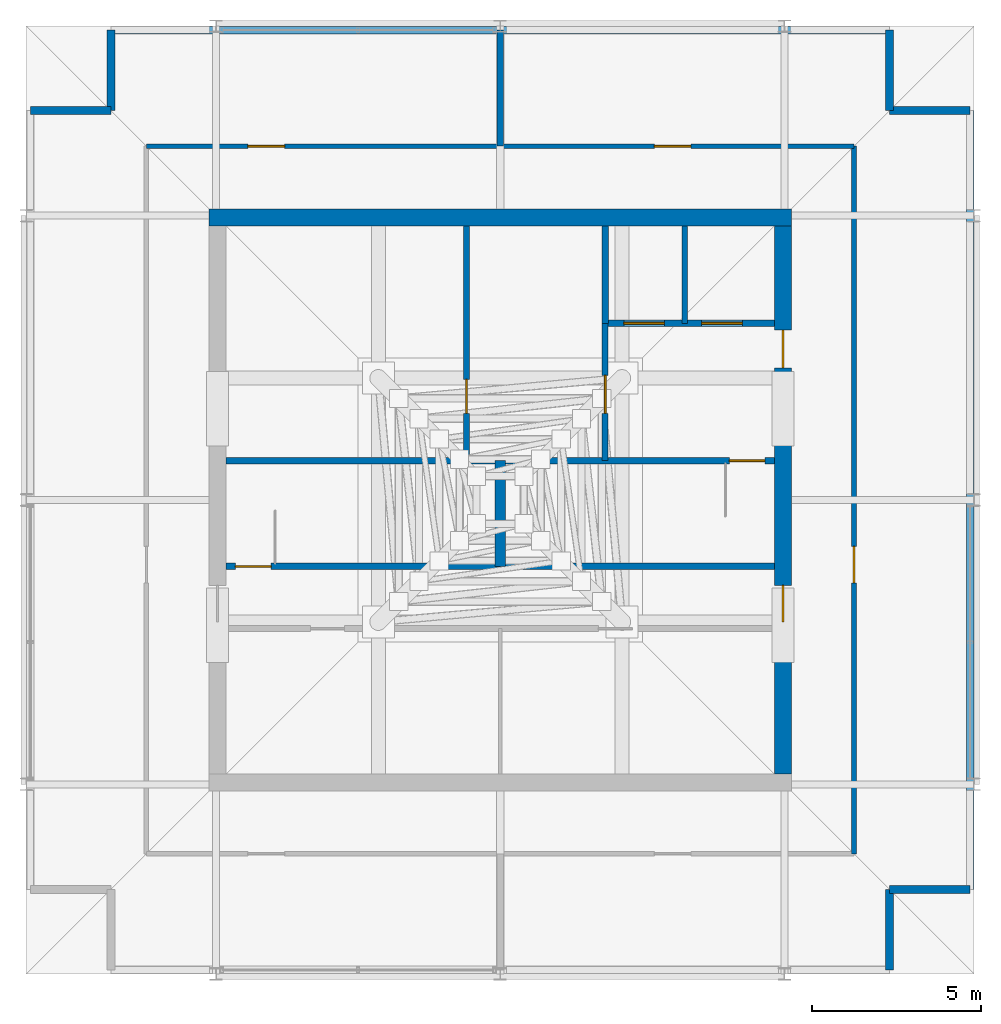
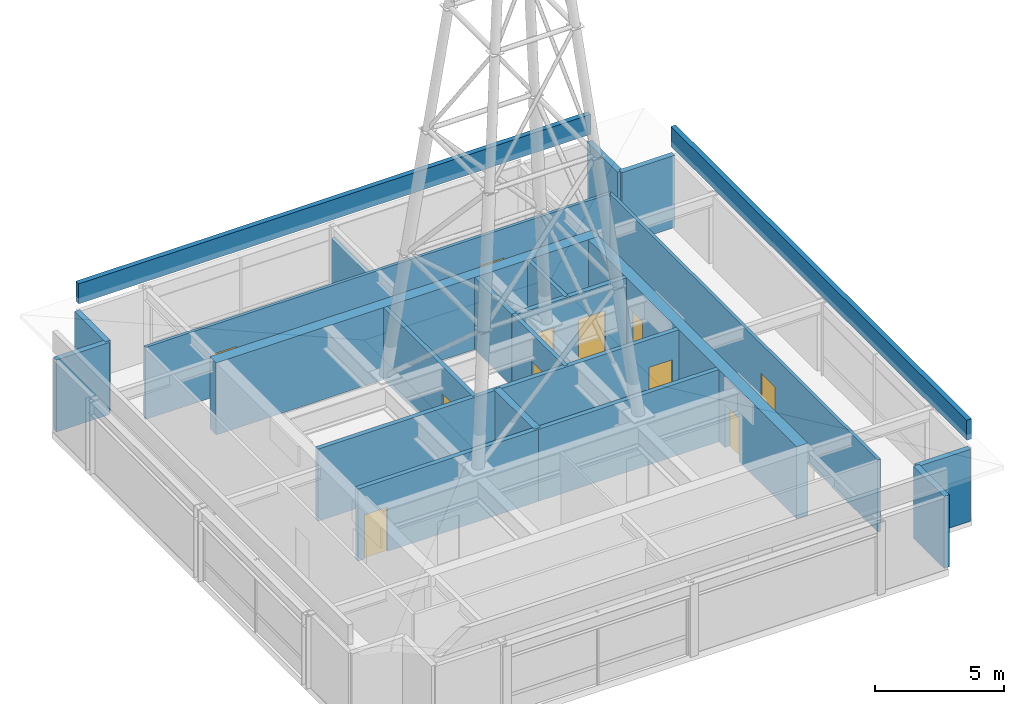
# One storey, part 12 of 13: 23 walls, 11 doors, 11 openings.
"""IFC4 building model written with IfcOpenShell, lengths in metres."""

from ifc_helpers import new_model, si_unit, direction, frame, frame_2d, origin, place, context, subcontext, project, spatial, rectangle, extrude, material, layer, layer_set, type_object, element, fill, save


model = new_model("IFC4")

# Units and contexts
model_context = context("Model", 3, precision=1e-05, world=origin(), true_north=direction((0.0, 1.0)))
body_context = subcontext(model_context, "Body", "Model", "MODEL_VIEW")
ifc_project = project(units=[si_unit("LENGTHUNIT", "METRE"), si_unit("AREAUNIT", "SQUARE_METRE"), si_unit("VOLUMEUNIT", "CUBIC_METRE"), si_unit("PLANEANGLEUNIT", "RADIAN"), si_unit("MASSUNIT", "GRAM", prefix="KILO")], contexts=[model_context])

# Site, building, storey
site_placement = place(None, origin())
site = spatial("IfcSite", under=ifc_project, at=site_placement, CompositionType="ELEMENT")
building_placement = place(site_placement, origin())
building = spatial("IfcBuilding", under=site, at=building_placement, Name="Drelvath Grand Hotel", CompositionType="ELEMENT")
storey_placement = place(building_placement, frame((0.0, 0.0, 323.199951171875)))
storey = spatial("IfcBuildingStorey", under=building, at=storey_placement, Name="L84", CompositionType="ELEMENT", Elevation=323.199951171875)

# Wall, openings, doors
ifc_material_1 = material(Name="Concrete C40/50", Category="concrete")
ifc_layer_1 = layer(ifc_material_1, 0.199951171875)
ifc_layer_set_1 = layer_set([ifc_layer_1], Name="Concrete C40/50")
wall_type_1 = type_object("IfcWallType", Name="Core Hoistway Fire Wall 200", PredefinedType="SOLIDWALL", material=ifc_layer_set_1)
wall_1_placement = place(storey_placement, frame((3.10009765625, 32.219970703125, 0.0), z_axis=(0.0, 0.0, 1.0), x_axis=(1.0, 0.0, 0.0)))
wall_1 = element("IfcWall", 1, at=wall_1_placement, inside=storey, type_object=wall_type_1, Name="L84 FSAE Hoistway Front Wall", PredefinedType="SOLIDWALL", context=body_context, shape_type="SweptSolid", body=[
    extrude(rectangle(XDim=5.0, YDim=0.199951171875, at=frame_2d((2.5, 0.0))), origin(), (0.0, 0.0, 1.0), 3.420166015625),
])
opening_1_placement = place(wall_1_placement, frame((0.550048828125, 0.0, 0.0)))
opening_1 = element("IfcOpeningElement", 2, at=opening_1_placement, cuts=wall_1, Name="Opening LD-FSAE-1", PredefinedType="OPENING", context=body_context, shape_type="SweptSolid", body=[
    extrude(rectangle(XDim=1.199951171875, YDim=2.199951171875, at=frame_2d((0.60009765625, 1.10009765625))), frame((0.0, 0.10986328125, 0.0), z_axis=(0.0, -1.0, 0.0), x_axis=(1.0, 0.0, 0.0)), (0.0, 0.0, 1.0), 0.219970703125),
])
opening_2_placement = place(wall_1_placement, frame((2.85009765625, 0.0, 0.0)))
opening_2 = element("IfcOpeningElement", 3, at=opening_2_placement, cuts=wall_1, Name="Opening LD-FSAE-2", PredefinedType="OPENING", context=body_context, shape_type="SweptSolid", body=[
    extrude(rectangle(XDim=1.199951171875, YDim=2.199951171875, at=frame_2d((0.60009765625, 1.10009765625))), frame((0.0, 0.10986328125, 0.0), z_axis=(0.0, -1.0, 0.0), x_axis=(1.0, 0.0, 0.0)), (0.0, 0.0, 1.0), 0.219970703125),
])
ifc_material_2 = material(Name="Stainless Steel S355", Category="steel")
door_type_1 = type_object("IfcDoorType", Name="FSAE Lift Sliding Landing Door 1200x2200", OperationType="NOTDEFINED", PredefinedType="DOOR", material=ifc_material_2)
door_1_placement = place(opening_1_placement, origin())
door_1 = element("IfcDoor", 4, at=door_1_placement, inside=storey, type_object=door_type_1, Name="L84 Lift FSAE-1 Landing Door", OperationType="SLIDING_TO_LEFT", OverallHeight=2.199951171875, OverallWidth=1.199951171875, PredefinedType="DOOR", context=body_context, shape_type="SweptSolid", body=[
    extrude(rectangle(XDim=1.199951171875, YDim=2.199951171875, at=frame_2d((0.60009765625, 1.10009765625))), frame((0.0, 0.02490234375, 0.0), z_axis=(0.0, -1.0, 0.0), x_axis=(1.0, 0.0, 0.0)), (0.0, 0.0, 1.0), 0.050048828125),
])
fill(opening_1, door_1)
door_2_placement = place(opening_2_placement, origin())
door_2 = element("IfcDoor", 5, at=door_2_placement, inside=storey, type_object=door_type_1, Name="L84 Lift FSAE-2 Landing Door", OperationType="SLIDING_TO_LEFT", OverallHeight=2.199951171875, OverallWidth=1.199951171875, PredefinedType="DOOR", context=body_context, shape_type="SweptSolid", body=[
    extrude(rectangle(XDim=1.199951171875, YDim=2.199951171875, at=frame_2d((0.60009765625, 1.10009765625))), frame((0.0, 0.02490234375, 0.0), z_axis=(0.0, -1.0, 0.0), x_axis=(1.0, 0.0, 0.0)), (0.0, 0.0, 1.0), 0.050048828125),
])
fill(opening_2, door_2)

# Wall
wall_2_placement = place(storey_placement, frame((3.10009765625, 32.219970703125, 0.0), z_axis=(0.0, 0.0, 1.0), x_axis=(0.0, 1.0, 0.0)))
element("IfcWall", 6, at=wall_2_placement, inside=storey, type_object=wall_type_1, Name="L84 FSAE Hoistway West Wall", PredefinedType="SOLIDWALL", context=body_context, shape_type="SweptSolid", body=[
    extrude(rectangle(XDim=2.880126953125, YDim=0.199951171875, at=frame_2d((1.43994140625, 0.0))), origin(), (0.0, 0.0, 1.0), 3.420166015625),
])

# Wall, opening, door
ifc_layer_2 = layer(ifc_material_1, 0.199951171875)
ifc_layer_set_2 = layer_set([ifc_layer_2], Name="Concrete C40/50")
wall_type_2 = type_object("IfcWallType", Name="Core Shaft Fire Wall 200", PredefinedType="SOLIDWALL", material=ifc_layer_set_2)
wall_3_placement = place(storey_placement, frame((-8.10009765625, 25.0400390625, 0.0), z_axis=(0.0, 0.0, 1.0), x_axis=(1.0, 0.0, 0.0)))
wall_3 = element("IfcWall", 7, at=wall_3_placement, inside=storey, type_object=wall_type_2, Name="L84 Stair ST-1 South Wall", PredefinedType="SOLIDWALL", context=body_context, shape_type="SweptSolid", body=[
    extrude(rectangle(XDim=8.10009765625, YDim=0.199951171875, at=frame_2d((4.050048828125, 0.0))), origin(), (0.0, 0.0, 1.0), 3.420166015625),
])
opening_3_placement = place(wall_3_placement, frame((0.280029296875, 0.0, 0.0)))
opening_3 = element("IfcOpeningElement", 8, at=opening_3_placement, cuts=wall_3, Name="Opening D-L84-001", PredefinedType="OPENING", context=body_context, shape_type="SweptSolid", body=[
    extrude(rectangle(XDim=1.050048828125, YDim=2.10009765625, at=frame_2d((0.52490234375, 1.050048828125))), frame((0.0, 0.10986328125, 0.0), z_axis=(0.0, -1.0, 0.0), x_axis=(1.0, 0.0, 0.0)), (0.0, 0.0, 1.0), 0.219970703125),
])
ifc_material_3 = material(Name="Painted Steel S275", Category="steel")
door_type_2 = type_object("IfcDoorType", Name="Tower Stairwell Fire Door 1050x2100", OperationType="NOTDEFINED", PredefinedType="DOOR", material=ifc_material_3)
door_3_placement = place(opening_3_placement, origin())
door_3 = element("IfcDoor", 9, at=door_3_placement, inside=storey, type_object=door_type_2, Name="L84 Exit Stair ST-1 Door", OperationType="SINGLE_SWING_LEFT", OverallHeight=2.10009765625, OverallWidth=1.050048828125, PredefinedType="DOOR", context=body_context, shape_type="SweptSolid", body=[
    extrude(rectangle(XDim=1.050048828125, YDim=2.10009765625, at=frame_2d((0.52490234375, 1.050048828125))), frame((0.0, 0.02490234375, 0.0), z_axis=(0.0, -1.0, 0.0), x_axis=(1.0, 0.0, 0.0)), (0.0, 0.0, 1.0), 0.050048828125),
])
fill(opening_3, door_3)

# Walls
for number, where, z_axis, x_axis, name in (
    (10, (-8.10009765625, 28.159912109375, 0.0), (0.0, 0.0, 1.0), (1.0, 0.0, 0.0), "L84 Stair ST-1 North Wall"),
    (11, (0.0, 25.0400390625, 0.0), (0.0, 0.0, 1.0), (1.0, 0.0, 0.0), "L84 Stair ST-2 South Wall"),
):
    element("IfcWall", number, at=place(storey_placement, frame(where, z_axis=z_axis, x_axis=x_axis)), inside=storey, type_object=wall_type_2, Name=name, PredefinedType="SOLIDWALL", context=body_context, shape_type="SweptSolid", body=[
        extrude(rectangle(XDim=8.10009765625, YDim=0.199951171875, at=frame_2d((4.050048828125, 0.0))), origin(), (0.0, 0.0, 1.0), 3.420166015625),
    ])

# Wall, opening, door
wall_4_placement = place(storey_placement, frame((8.10009765625, 28.159912109375, 0.0), z_axis=(0.0, 0.0, 1.0), x_axis=(-1.0, 0.0, 0.0)))
wall_4 = element("IfcWall", 12, at=wall_4_placement, inside=storey, type_object=wall_type_2, Name="L84 Stair ST-2 North Wall", PredefinedType="SOLIDWALL", context=body_context, shape_type="SweptSolid", body=[
    extrude(rectangle(XDim=8.10009765625, YDim=0.199951171875, at=frame_2d((4.050048828125, 0.0))), origin(), (0.0, 0.0, 1.0), 3.420166015625),
])
opening_4_placement = place(wall_4_placement, frame((0.280029296875, 0.0, 0.0)))
opening_4 = element("IfcOpeningElement", 13, at=opening_4_placement, cuts=wall_4, Name="Opening D-L84-002", PredefinedType="OPENING", context=body_context, shape_type="SweptSolid", body=[
    extrude(rectangle(XDim=1.050048828125, YDim=2.10009765625, at=frame_2d((0.52490234375, 1.050048828125))), frame((0.0, 0.10986328125, 0.0), z_axis=(0.0, -1.0, 0.0), x_axis=(1.0, 0.0, 0.0)), (0.0, 0.0, 1.0), 0.219970703125),
])
door_4_placement = place(opening_4_placement, origin())
door_4 = element("IfcDoor", 14, at=door_4_placement, inside=storey, type_object=door_type_2, Name="L84 Exit Stair ST-2 Door", OperationType="SINGLE_SWING_LEFT", OverallHeight=2.10009765625, OverallWidth=1.050048828125, PredefinedType="DOOR", context=body_context, shape_type="SweptSolid", body=[
    extrude(rectangle(XDim=1.050048828125, YDim=2.10009765625, at=frame_2d((0.52490234375, 1.050048828125))), frame((0.0, 0.02490234375, 0.0), z_axis=(0.0, -1.0, 0.0), x_axis=(1.0, 0.0, 0.0)), (0.0, 0.0, 1.0), 0.050048828125),
])
fill(opening_4, door_4)

# Walls
ifc_layer_3 = layer(ifc_material_1, 0.300048828125)
ifc_layer_set_3 = layer_set([ifc_layer_3], Name="Concrete C40/50")
wall_type_3 = type_object("IfcWallType", Name="Core Shaft Fire Wall 300", PredefinedType="SOLIDWALL", material=ifc_layer_set_3)
wall_5_placement = place(storey_placement, frame((0.0, 25.0400390625, 0.0), z_axis=(0.0, 0.0, 1.0), x_axis=(0.0, 1.0, 0.0)))
element("IfcWall", 15, at=wall_5_placement, inside=storey, type_object=wall_type_3, Name="L84 Core Stair Divider Wall", PredefinedType="SOLIDWALL", context=body_context, shape_type="SweptSolid", body=[
    extrude(rectangle(XDim=3.119873046875, YDim=0.300048828125, at=frame_2d((1.56005859375, 0.0))), origin(), (0.0, 0.0, 1.0), 3.420166015625),
])
ifc_material_4 = material(Name="Gypsum Fireboard Partition")
ifc_layer_4 = layer(ifc_material_4, 0.1650390625)
ifc_layer_set_4 = layer_set([ifc_layer_4], Name="Gypsum Fireboard Partition")
wall_type_4 = type_object("IfcWallType", Name="Core Shaft Partition 165", PredefinedType="PARTITIONING", material=ifc_layer_set_4)
wall_6_placement = place(storey_placement, frame((5.449951171875, 32.219970703125, 0.0), z_axis=(0.0, 0.0, 1.0), x_axis=(0.0, 1.0, 0.0)))
element("IfcWall", 16, at=wall_6_placement, inside=storey, type_object=wall_type_4, Name="L84 FSAE Hoistway Divider", PredefinedType="PARTITIONING", context=body_context, shape_type="SweptSolid", body=[
    extrude(rectangle(XDim=2.880126953125, YDim=0.1650390625, at=frame_2d((1.43994140625, 0.0))), origin(), (0.0, 0.0, 1.0), 3.420166015625),
])

# Wall, openings, doors
ifc_layer_5 = layer(ifc_material_4, 0.135009765625)
ifc_layer_set_5 = layer_set([ifc_layer_5], Name="Gypsum Fireboard Partition")
wall_type_5 = type_object("IfcWallType", Name="Corridor Fire Barrier Wall 135", PredefinedType="PARTITIONING", material=ifc_layer_set_5)
wall_7_placement = place(storey_placement, frame((-10.449951171875, 37.449951171875, 0.0), z_axis=(0.0, 0.0, 1.0), x_axis=(1.0, 0.0, 0.0)))
wall_7 = element("IfcWall", 17, at=wall_7_placement, inside=storey, type_object=wall_type_5, Name="L84 Crown North Corridor Wall", PredefinedType="PARTITIONING", context=body_context, shape_type="SweptSolid", body=[
    extrude(rectangle(XDim=20.89990234375, YDim=0.135009765625, at=frame_2d((10.449951171875, 0.0))), origin(), (0.0, 0.0, 1.0), 3.420166015625),
])
opening_5_placement = place(wall_7_placement, frame((3.0, 0.0, 0.0)))
opening_5 = element("IfcOpeningElement", 18, at=opening_5_placement, cuts=wall_7, Name="Opening D-L84-014", PredefinedType="OPENING", context=body_context, shape_type="SweptSolid", body=[
    extrude(rectangle(XDim=1.080078125, YDim=2.0400390625, at=frame_2d((0.5400390625, 1.02001953125))), frame((0.0, 0.077392578125, 0.0), z_axis=(0.0, -1.0, 0.0), x_axis=(1.0, 0.0, 0.0)), (0.0, 0.0, 1.0), 0.155029296875),
])
opening_6_placement = place(wall_7_placement, frame((15.0, 0.0, 0.0)))
opening_6 = element("IfcOpeningElement", 19, at=opening_6_placement, cuts=wall_7, Name="Opening D-L84-015", PredefinedType="OPENING", context=body_context, shape_type="SweptSolid", body=[
    extrude(rectangle(XDim=1.080078125, YDim=2.0400390625, at=frame_2d((0.5400390625, 1.02001953125))), frame((0.0, 0.077392578125, 0.0), z_axis=(0.0, -1.0, 0.0), x_axis=(1.0, 0.0, 0.0)), (0.0, 0.0, 1.0), 0.155029296875),
])
door_type_3 = type_object("IfcDoorType", Name="Core Corridor Fire Door 1080x2100", OperationType="NOTDEFINED", PredefinedType="DOOR", material=ifc_material_3)
door_5_placement = place(opening_5_placement, origin())
door_5 = element("IfcDoor", 20, at=door_5_placement, inside=storey, type_object=door_type_3, Name="L84 Transmitter Plant Door", OperationType="SINGLE_SWING_RIGHT", OverallHeight=2.0400390625, OverallWidth=1.080078125, PredefinedType="DOOR", context=body_context, shape_type="SweptSolid", body=[
    extrude(rectangle(XDim=1.080078125, YDim=2.0400390625, at=frame_2d((0.5400390625, 1.02001953125))), frame((0.0, 0.02490234375, 0.0), z_axis=(0.0, -1.0, 0.0), x_axis=(1.0, 0.0, 0.0)), (0.0, 0.0, 1.0), 0.050048828125),
])
fill(opening_5, door_5)
door_6_placement = place(opening_6_placement, origin())
door_6 = element("IfcDoor", 21, at=door_6_placement, inside=storey, type_object=door_type_3, Name="L84 TMD Plant Door", OperationType="SINGLE_SWING_LEFT", OverallHeight=2.0400390625, OverallWidth=1.080078125, PredefinedType="DOOR", context=body_context, shape_type="SweptSolid", body=[
    extrude(rectangle(XDim=1.080078125, YDim=2.0400390625, at=frame_2d((0.5400390625, 1.02001953125))), frame((0.0, 0.02490234375, 0.0), z_axis=(0.0, -1.0, 0.0), x_axis=(1.0, 0.0, 0.0)), (0.0, 0.0, 1.0), 0.050048828125),
])
fill(opening_6, door_6)

# Wall, opening, door
wall_8_placement = place(storey_placement, frame((10.449951171875, 16.550048828125, 0.0), z_axis=(0.0, 0.0, 1.0), x_axis=(0.0, 1.0, 0.0)))
wall_8 = element("IfcWall", 22, at=wall_8_placement, inside=storey, type_object=wall_type_5, Name="L84 Crown East Corridor Wall", PredefinedType="PARTITIONING", context=body_context, shape_type="SweptSolid", body=[
    extrude(rectangle(XDim=20.89990234375, YDim=0.135009765625, at=frame_2d((10.449951171875, 0.0))), origin(), (0.0, 0.0, 1.0), 3.420166015625),
])
opening_7_placement = place(wall_8_placement, frame((8.0, 0.0, 0.0)))
opening_7 = element("IfcOpeningElement", 23, at=opening_7_placement, cuts=wall_8, Name="Opening D-L84-017", PredefinedType="OPENING", context=body_context, shape_type="SweptSolid", body=[
    extrude(rectangle(XDim=1.080078125, YDim=2.0400390625, at=frame_2d((0.5400390625, 1.02001953125))), frame((0.0, 0.077392578125, 0.0), z_axis=(0.0, -1.0, 0.0), x_axis=(1.0, 0.0, 0.0)), (0.0, 0.0, 1.0), 0.155029296875),
])
door_7_placement = place(opening_7_placement, origin())
door_7 = element("IfcDoor", 24, at=door_7_placement, inside=storey, type_object=door_type_3, Name="L84 Pressurization Fan Door", OperationType="SINGLE_SWING_LEFT", OverallHeight=2.0400390625, OverallWidth=1.080078125, PredefinedType="DOOR", context=body_context, shape_type="SweptSolid", body=[
    extrude(rectangle(XDim=1.080078125, YDim=2.0400390625, at=frame_2d((0.5400390625, 1.02001953125))), frame((0.0, 0.02490234375, 0.0), z_axis=(0.0, -1.0, 0.0), x_axis=(1.0, 0.0, 0.0)), (0.0, 0.0, 1.0), 0.050048828125),
])
fill(opening_7, door_7)

ifc_layer_6 = layer(ifc_material_4, 0.179931640625)
ifc_layer_set_6 = layer_set([ifc_layer_6], Name="Gypsum Fireboard Partition")
wall_type_6 = type_object("IfcWallType", Name="FSAE Smoke Lobby Fire Wall 180", PredefinedType="SOLIDWALL", material=ifc_layer_set_6)
wall_9_placement = place(storey_placement, frame((3.10009765625, 28.159912109375, 0.0), z_axis=(0.0, 0.0, 1.0), x_axis=(0.0, 1.0, 0.0)))
wall_9 = element("IfcWall", 25, at=wall_9_placement, inside=storey, type_object=wall_type_6, Name="L84 FSAE Smoke Lobby West Wall", PredefinedType="SOLIDWALL", context=body_context, shape_type="SweptSolid", body=[
    extrude(rectangle(XDim=4.06005859375, YDim=0.179931640625, at=frame_2d((2.030029296875, 0.0))), origin(), (0.0, 0.0, 1.0), 3.420166015625),
])
opening_8_placement = place(wall_9_placement, frame((1.39990234375, 0.0, 0.0)))
opening_8 = element("IfcOpeningElement", 26, at=opening_8_placement, cuts=wall_9, Name="Opening D-L84-005", PredefinedType="OPENING", context=body_context, shape_type="SweptSolid", body=[
    extrude(rectangle(XDim=1.1201171875, YDim=2.10009765625, at=frame_2d((0.56005859375, 1.050048828125))), frame((0.0, 0.099853515625, 0.0), z_axis=(0.0, -1.0, 0.0), x_axis=(1.0, 0.0, 0.0)), (0.0, 0.0, 1.0), 0.199951171875),
])
door_type_4 = type_object("IfcDoorType", Name="FSAE Smoke Lobby Fire Door 1120x2100", OperationType="NOTDEFINED", PredefinedType="DOOR", material=ifc_material_3)
door_8_placement = place(opening_8_placement, origin())
door_8 = element("IfcDoor", 27, at=door_8_placement, inside=storey, type_object=door_type_4, Name="L84 FSAE Lobby Service Vestibule Door", OperationType="SINGLE_SWING_RIGHT", OverallHeight=2.10009765625, OverallWidth=1.1201171875, PredefinedType="DOOR", context=body_context, shape_type="SweptSolid", body=[
    extrude(rectangle(XDim=1.1201171875, YDim=2.10009765625, at=frame_2d((0.56005859375, 1.050048828125))), frame((0.0, 0.02490234375, 0.0), z_axis=(0.0, -1.0, 0.0), x_axis=(1.0, 0.0, 0.0)), (0.0, 0.0, 1.0), 0.050048828125),
])
fill(opening_8, door_8)

wall_10_placement = place(storey_placement, frame((-1.0, 28.159912109375, 0.0), z_axis=(0.0, 0.0, 1.0), x_axis=(0.0, 1.0, 0.0)))
wall_10 = element("IfcWall", 28, at=wall_10_placement, inside=storey, type_object=wall_type_6, Name="L84 Telemetry West Wall", PredefinedType="SOLIDWALL", context=body_context, shape_type="SweptSolid", body=[
    extrude(rectangle(XDim=6.940185546875, YDim=0.179931640625, at=frame_2d((3.47021484375, 0.0))), origin(), (0.0, 0.0, 1.0), 3.420166015625),
])
opening_9_placement = place(wall_10_placement, frame((1.39990234375, 0.0, 0.0)))
opening_9 = element("IfcOpeningElement", 29, at=opening_9_placement, cuts=wall_10, Name="Opening D-L84-007", PredefinedType="OPENING", context=body_context, shape_type="SweptSolid", body=[
    extrude(rectangle(XDim=1.0, YDim=2.10009765625, at=frame_2d((0.5, 1.050048828125))), frame((0.0, 0.099853515625, 0.0), z_axis=(0.0, -1.0, 0.0), x_axis=(1.0, 0.0, 0.0)), (0.0, 0.0, 1.0), 0.199951171875),
])
door_type_5 = type_object("IfcDoorType", Name="Core Service Fire Door 1000x2100", OperationType="NOTDEFINED", PredefinedType="DOOR", material=ifc_material_3)
door_9_placement = place(opening_9_placement, origin())
door_9 = element("IfcDoor", 30, at=door_9_placement, inside=storey, type_object=door_type_5, Name="L84 Telemetry West Door", OperationType="SINGLE_SWING_LEFT", OverallHeight=2.10009765625, OverallWidth=1.0, PredefinedType="DOOR", context=body_context, shape_type="SweptSolid", body=[
    extrude(rectangle(XDim=1.0, YDim=2.10009765625, at=frame_2d((0.5, 1.050048828125))), frame((0.0, 0.02490234375, 0.0), z_axis=(0.0, -1.0, 0.0), x_axis=(1.0, 0.0, 0.0)), (0.0, 0.0, 1.0), 0.050048828125),
])
fill(opening_9, door_9)

# Walls
wall_11_placement = place(storey_placement, frame((0.0, 37.449951171875, 0.0), z_axis=(0.0, 0.0, 1.0), x_axis=(0.0, 1.0, 0.0)))
element("IfcWall", 31, at=wall_11_placement, inside=storey, type_object=wall_type_6, Name="L84 Crown North Split", PredefinedType="SOLIDWALL", context=body_context, shape_type="SweptSolid", body=[
    extrude(rectangle(XDim=3.429931640625, YDim=0.179931640625, at=frame_2d((1.71484375, 0.0))), origin(), (0.0, 0.0, 1.0), 2.868408203125),
])
ifc_material_5 = material(Name="Pale-Metal Cladded Concrete C40/50 Parapet", Category="concrete")
ifc_layer_7 = layer(ifc_material_5, 0.219970703125)
ifc_layer_set_7 = layer_set([ifc_layer_7], Name="Pale-Metal Cladded Concrete C40/50 Parapet")
wall_type_7 = type_object("IfcWallType", Name="Roof Coping Parapet Wall 220", PredefinedType="PARAPET", material=ifc_layer_set_7)
for number, where, z_axis, x_axis, name in (
    (32, (-11.5, 40.8798828125, 3.800048828125), (0.0, 0.0, 1.0), (1.0, 0.0, 0.0), "L84 Crown Drum Roof Coping Parapet N"),
    (33, (13.8798828125, 38.5, 3.800048828125), (0.0, 0.0, 1.0), (0.0, -1.0, 0.0), "L84 Crown Drum Roof Coping Parapet E"),
):
    element("IfcWall", number, at=place(storey_placement, frame(where, z_axis=z_axis, x_axis=x_axis)), inside=storey, type_object=wall_type_7, Name=name, PredefinedType="PARAPET", context=body_context, shape_type="SweptSolid", body=[
        extrude(rectangle(XDim=23.0, YDim=0.219970703125, at=frame_2d((11.5, 0.0))), origin(), (0.0, 0.0, 1.0), 0.949951171875),
    ])
ifc_material_6 = material(Name="Pale-Metal Insulated Aluminium Spandrel Assembly", Category="aluminium")
ifc_layer_8 = layer(ifc_material_6, 0.239990234375)
ifc_layer_set_8 = layer_set([ifc_layer_8], Name="Pale-Metal Insulated Aluminium Spandrel Assembly")
wall_type_8 = type_object("IfcWallType", Name="Tower Insulated Metal Spandrel Closure Wall 240", PredefinedType="STANDARD", material=ifc_layer_set_8)
for number, where, z_axis, x_axis, name in (
    (34, (-13.8798828125, 38.5, 0.0), (0.0, 0.0, 1.0), (1.0, 0.0, 0.0), "L84 Crown Drum Corner Wall CNW1"),
    (35, (-11.5, 38.5, 0.0), (0.0, 0.0, 1.0), (0.0, 1.0, 0.0), "L84 Crown Drum Corner Wall CNW2"),
    (36, (11.5, 40.8798828125, 0.0), (0.0, 0.0, 1.0), (0.0, -1.0, 0.0), "L84 Crown Drum Corner Wall CNE1"),
    (37, (11.5, 38.5, 0.0), (0.0, 0.0, 1.0), (1.0, 0.0, 0.0), "L84 Crown Drum Corner Wall CNE2"),
    (38, (13.8798828125, 15.5, 0.0), (0.0, 0.0, 1.0), (-1.0, 0.0, 0.0), "L84 Crown Drum Corner Wall CSE1"),
    (39, (11.5, 15.5, 0.0), (0.0, 0.0, 1.0), (0.0, -1.0, 0.0), "L84 Crown Drum Corner Wall CSE2"),
):
    element("IfcWall", number, at=place(storey_placement, frame(where, z_axis=z_axis, x_axis=x_axis)), inside=storey, type_object=wall_type_8, Name=name, PredefinedType="STANDARD", context=body_context, shape_type="SweptSolid", body=[
        extrude(rectangle(XDim=2.3798828125, YDim=0.239990234375, at=frame_2d((1.18994140625, 0.0))), origin(), (0.0, 0.0, 1.0), 3.420166015625),
    ])
ifc_material_7 = material(Name="Concrete f'c 55 MPa", Category="concrete")
ifc_layer_9 = layer(ifc_material_7, 0.5)
ifc_layer_set_9 = layer_set([ifc_layer_9], Name="Concrete f'c 55 MPa")
wall_type_9 = type_object("IfcWallType", Name="Upper Core RC Shear Wall 500", PredefinedType="SHEAR", material=ifc_layer_set_9)
wall_12_placement = place(storey_placement, frame((-8.60009765625, 35.35009765625, 0.0), z_axis=(0.0, 0.0, 1.0), x_axis=(1.0, 0.0, 0.0)))
element("IfcWall", 40, at=wall_12_placement, inside=storey, type_object=wall_type_9, Name="L84 Central Core Shear Wall N", PredefinedType="SHEAR", context=body_context, shape_type="SweptSolid", body=[
    extrude(rectangle(XDim=17.2001953125, YDim=0.5, at=frame_2d((8.60009765625, 0.0))), origin(), (0.0, 0.0, 1.0), 3.420166015625),
])

# Wall, openings, doors
wall_13_placement = place(storey_placement, frame((8.35009765625, 35.10009765625, 0.0), z_axis=(0.0, 0.0, 1.0), x_axis=(0.0, -1.0, 0.0)))
wall_13 = element("IfcWall", 41, at=wall_13_placement, inside=storey, type_object=wall_type_9, Name="L84 Central Core Shear Wall E", PredefinedType="SHEAR", context=body_context, shape_type="SweptSolid", body=[
    extrude(rectangle(XDim=16.2001953125, YDim=0.5, at=frame_2d((8.10009765625, 0.0))), origin(), (0.0, 0.0, 1.0), 3.420166015625),
])
opening_10_placement = place(wall_13_placement, frame((3.080078125, 0.0, 0.0)))
opening_10 = element("IfcOpeningElement", 42, at=opening_10_placement, cuts=wall_13, Name="Opening D-L84-006", PredefinedType="OPENING", context=body_context, shape_type="SweptSolid", body=[
    extrude(rectangle(XDim=1.1201171875, YDim=2.10009765625, at=frame_2d((0.56005859375, 1.050048828125))), frame((0.0, 0.260009765625, 0.0), z_axis=(0.0, -1.0, 0.0), x_axis=(1.0, 0.0, 0.0)), (0.0, 0.0, 1.0), 0.52001953125),
])
opening_11_placement = place(wall_13_placement, frame((10.6201171875, 0.0, 0.0)))
opening_11 = element("IfcOpeningElement", 43, at=opening_11_placement, cuts=wall_13, Name="Opening D-L84-009", PredefinedType="OPENING", context=body_context, shape_type="SweptSolid", body=[
    extrude(rectangle(XDim=1.080078125, YDim=2.0400390625, at=frame_2d((0.5400390625, 1.02001953125))), frame((0.0, 0.260009765625, 0.0), z_axis=(0.0, -1.0, 0.0), x_axis=(1.0, 0.0, 0.0)), (0.0, 0.0, 1.0), 0.52001953125),
])
door_10_placement = place(opening_11_placement, origin())
door_10 = element("IfcDoor", 44, at=door_10_placement, inside=storey, type_object=door_type_3, Name="L84 Core Passage East Door", OperationType="SINGLE_SWING_LEFT", OverallHeight=2.0400390625, OverallWidth=1.080078125, PredefinedType="DOOR", context=body_context, shape_type="SweptSolid", body=[
    extrude(rectangle(XDim=1.080078125, YDim=2.0400390625, at=frame_2d((0.5400390625, 1.02001953125))), frame((0.0, 0.02490234375, 0.0), z_axis=(0.0, -1.0, 0.0), x_axis=(1.0, 0.0, 0.0)), (0.0, 0.0, 1.0), 0.050048828125),
])
fill(opening_11, door_10)
door_11_placement = place(opening_10_placement, origin())
door_11 = element("IfcDoor", 45, at=door_11_placement, inside=storey, type_object=door_type_4, Name="L84 FSAE Lobby East Corridor Door", OperationType="SINGLE_SWING_LEFT", OverallHeight=2.10009765625, OverallWidth=1.1201171875, PredefinedType="DOOR", context=body_context, shape_type="SweptSolid", body=[
    extrude(rectangle(XDim=1.1201171875, YDim=2.10009765625, at=frame_2d((0.56005859375, 1.050048828125))), frame((0.0, 0.02490234375, 0.0), z_axis=(0.0, -1.0, 0.0), x_axis=(1.0, 0.0, 0.0)), (0.0, 0.0, 1.0), 0.050048828125),
])
fill(opening_10, door_11)

save(model, "model.ifc")
